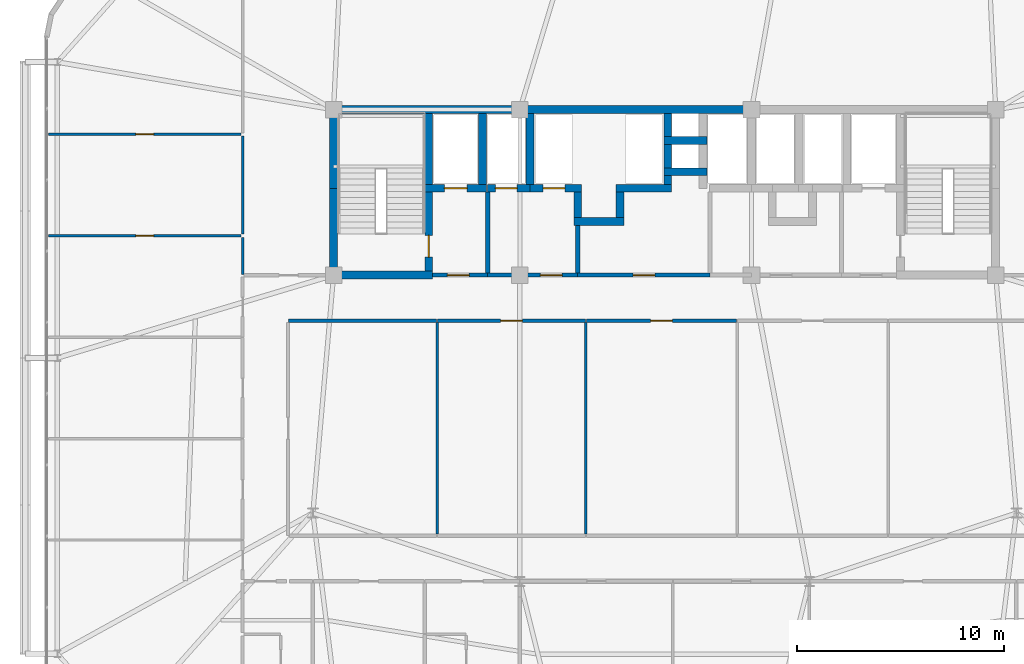
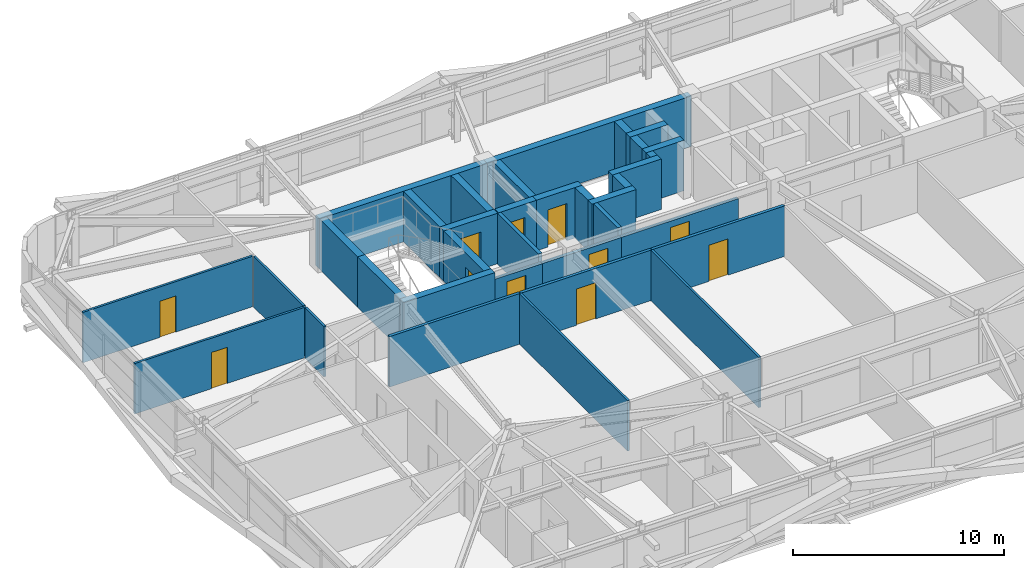
# One storey, part 53 of 58: 35 walls, 11 doors, 11 openings.
"""IFC4 building model written with IfcOpenShell, lengths in metres."""

from ifc_helpers import new_model, si_unit, direction, frame, frame_2d, origin, place, context, subcontext, project, spatial, rectangle, extrude, source, transform, mapped, material, layer, layer_set, type_object, element, fill, save


model = new_model("IFC4")

# Units and contexts
model_context = context("Model", 3, precision=1e-05, world=origin(), true_north=direction((0.0, 1.0)))
body_context = subcontext(model_context, "Body", "Model", "MODEL_VIEW")
ifc_project = project(units=[si_unit("LENGTHUNIT", "METRE"), si_unit("AREAUNIT", "SQUARE_METRE"), si_unit("VOLUMEUNIT", "CUBIC_METRE"), si_unit("PLANEANGLEUNIT", "RADIAN"), si_unit("MASSUNIT", "GRAM", prefix="KILO")], contexts=[model_context])

# Site, building, storey
site_placement = place(None, origin())
site = spatial("IfcSite", under=ifc_project, at=site_placement, CompositionType="ELEMENT")
building_placement = place(site_placement, origin())
building = spatial("IfcBuilding", under=site, at=building_placement, Name="Taldren Reach Tower", CompositionType="ELEMENT")
storey_placement = place(building_placement, frame((0.0, 0.0, 32.550048828125)))
storey = spatial("IfcBuildingStorey", under=building, at=storey_placement, Name="L09", CompositionType="ELEMENT", Elevation=32.550048828125)

# Walls
ifc_material_1 = material(Name="Concrete S80 (80 MPa)", Category="concrete")
ifc_layer_1 = layer(ifc_material_1, 0.3798828125)
ifc_layer_set_1 = layer_set([ifc_layer_1], Name="Concrete S80 (80 MPa)")
wall_type_1 = type_object("IfcWallType", Name="IW-CORE-380", PredefinedType="SHEAR", material=ifc_layer_set_1)
shared_shape_1 = source(origin(), body_context, "Body", "SweptSolid", [
    extrude(rectangle(XDim=9.18994140625, YDim=0.3798828125, at=frame_2d((4.594970703125, 0.0))), origin(), (0.0, 0.0, 1.0), 2.929931640625),
])
wall_1_placement = place(storey_placement, frame((18.81005859375, 32.0, 0.0), z_axis=(0.0, 0.0, 1.0), x_axis=(1.0, 0.0, 0.0)))
element("IfcWall", 1, at=wall_1_placement, inside=storey, type_object=wall_type_1, Name="Rear Core Shear Wall W-CORE-L09-NORTH1", PredefinedType="SHEAR", context=body_context, shape_type="MappedRepresentation", body=[
    mapped(shared_shape_1, transform((0.0, 0.0, 0.0), scale=1.0)),
])
shared_shape_2 = source(origin(), body_context, "Body", "SweptSolid", [
    extrude(rectangle(XDim=11.199951171875, YDim=0.3798828125, at=frame_2d((5.60009765625, 0.0))), origin(), (0.0, 0.0, 1.0), 2.929931640625),
])
wall_2_placement = place(storey_placement, frame((28.0, 32.0, 0.0), z_axis=(0.0, 0.0, 1.0), x_axis=(1.0, 0.0, 0.0)))
element("IfcWall", 2, at=wall_2_placement, inside=storey, type_object=wall_type_1, Name="Rear Core Shear Wall W-CORE-L09-NORTH2", PredefinedType="SHEAR", context=body_context, shape_type="MappedRepresentation", body=[
    mapped(shared_shape_2, transform((0.0, 0.0, 0.0), scale=1.0)),
])
shared_shape_3 = source(origin(), body_context, "Body", "SweptSolid", [
    extrude(rectangle(XDim=4.010009765625, YDim=0.3798828125, at=frame_2d((2.0048828125, 0.0))), origin(), (0.0, 0.0, 1.0), 2.929931640625),
])
wall_3_placement = place(storey_placement, frame((19.0, 24.18994140625, 0.0), z_axis=(0.0, 0.0, 1.0), x_axis=(0.0, 1.0, 0.0)))
element("IfcWall", 3, at=wall_3_placement, inside=storey, type_object=wall_type_1, Name="Rear Core Shear Wall W-CORE-L09-WEST1", PredefinedType="SHEAR", context=body_context, shape_type="MappedRepresentation", body=[
    mapped(shared_shape_3, transform((0.0, 0.0, 0.0), scale=1.0)),
])
shared_shape_4 = source(origin(), body_context, "Body", "SweptSolid", [
    extrude(rectangle(XDim=3.610107421875, YDim=0.3798828125, at=frame_2d((1.80517578125, 0.0))), origin(), (0.0, 0.0, 1.0), 2.929931640625),
])
wall_4_placement = place(storey_placement, frame((19.0, 28.199951171875, 0.0), z_axis=(0.0, 0.0, 1.0), x_axis=(0.0, 1.0, 0.0)))
element("IfcWall", 4, at=wall_4_placement, inside=storey, type_object=wall_type_1, Name="Rear Core Shear Wall W-CORE-L09-WEST2", PredefinedType="SHEAR", context=body_context, shape_type="MappedRepresentation", body=[
    mapped(shared_shape_4, transform((0.0, 0.0, 0.0), scale=1.0)),
])
shared_shape_5 = source(origin(), body_context, "Body", "SweptSolid", [
    extrude(rectangle(XDim=3.420166015625, YDim=0.3798828125, at=frame_2d((1.7099609375, 0.0))), origin(), (0.0, 0.0, 1.0), 2.929931640625),
])
for number, where, z_axis, x_axis, name in (
    (5, (23.60009765625, 28.389892578125, 0.0), (0.0, 0.0, 1.0), (0.0, 1.0, 0.0), "Rear Core Shear Wall W-INT-L09-001"),
    (6, (26.199951171875, 28.389892578125, 0.0), (0.0, 0.0, 1.0), (0.0, 1.0, 0.0), "Rear Core Shear Wall W-INT-L09-005"),
    (7, (28.5, 28.389892578125, 0.0), (0.0, 0.0, 1.0), (0.0, 1.0, 0.0), "Rear Core Shear Wall W-INT-L09-029"),
):
    element("IfcWall", number, at=place(storey_placement, frame(where, z_axis=z_axis, x_axis=x_axis)), inside=storey, type_object=wall_type_1, Name=name, PredefinedType="SHEAR", context=body_context, shape_type="MappedRepresentation", body=[
        mapped(shared_shape_5, transform((0.0, 0.0, 0.0), scale=1.0)),
    ])

# Wall, opening, door
shared_shape_6 = source(origin(), body_context, "Body", "SweptSolid", [
    extrude(rectangle(XDim=3.820068359375, YDim=0.3798828125, at=frame_2d((1.91015625, 0.0))), origin(), (0.0, 0.0, 1.0), 2.929931640625),
])
wall_5_placement = place(storey_placement, frame((23.60009765625, 24.18994140625, 0.0), z_axis=(0.0, 0.0, 1.0), x_axis=(0.0, 1.0, 0.0)))
wall_5 = element("IfcWall", 8, at=wall_5_placement, inside=storey, type_object=wall_type_1, Name="Rear Core Shear Wall W-INT-L09-002", PredefinedType="SHEAR", context=body_context, shape_type="MappedRepresentation", body=[
    mapped(shared_shape_6, transform((0.0, 0.0, 0.0), scale=1.0)),
])
shared_shape_7 = source(origin(), body_context, "Body", "SweptSolid", [
    extrude(rectangle(XDim=1.050048828125, YDim=2.10009765625, at=frame_2d((0.52490234375, 1.050048828125))), frame((0.0, 0.199951171875, 0.0), z_axis=(0.0, -1.0, 0.0), x_axis=(1.0, 0.0, 0.0)), (0.0, 0.0, 1.0), 0.39990234375),
])
opening_1_placement = place(wall_5_placement, frame((0.68505859375, 0.0, 0.0)))
opening_1 = element("IfcOpeningElement", 9, at=opening_1_placement, cuts=wall_5, Name="Opening DF-105", PredefinedType="OPENING", context=body_context, shape_type="MappedRepresentation", body=[
    mapped(shared_shape_7, transform((0.0, 0.0, 0.0), scale=1.0)),
])
ifc_material_2 = material(Name="Fire-Rated Care and Stair Exit Door")
door_type_1 = type_object("IfcDoorType", Name="ID-FIRE-105", OperationType="NOTDEFINED", PredefinedType="DOOR", material=ifc_material_2)
shared_shape_8 = source(origin(), body_context, "Body", "SweptSolid", [
    extrude(rectangle(XDim=1.050048828125, YDim=2.10009765625, at=frame_2d((0.52490234375, 1.050048828125))), frame((0.0, 0.02490234375, 0.0), z_axis=(0.0, -1.0, 0.0), x_axis=(1.0, 0.0, 0.0)), (0.0, 0.0, 1.0), 0.050048828125),
])
door_1_placement = place(opening_1_placement, origin())
door_1 = element("IfcDoor", 10, at=door_1_placement, inside=storey, type_object=door_type_1, Name="Fire Exit Stair Door DR-L09-001", OperationType="SINGLE_SWING_LEFT", OverallHeight=2.10009765625, OverallWidth=1.050048828125, PredefinedType="DOOR", context=body_context, shape_type="MappedRepresentation", body=[
    mapped(shared_shape_8, transform((0.0, 0.0, 0.0), scale=1.0)),
])
fill(opening_1, door_1)

# Wall
shared_shape_9 = source(origin(), body_context, "Body", "SweptSolid", [
    extrude(rectangle(XDim=4.97998046875, YDim=0.3798828125, at=frame_2d((2.489990234375, 0.0))), origin(), (0.0, 0.0, 1.0), 2.929931640625),
])
wall_6_placement = place(storey_placement, frame((18.81005859375, 24.0, 0.0), z_axis=(0.0, 0.0, 1.0), x_axis=(1.0, 0.0, 0.0)))
element("IfcWall", 11, at=wall_6_placement, inside=storey, type_object=wall_type_1, Name="Rear Core Shear Wall W-INT-L09-003", PredefinedType="SHEAR", context=body_context, shape_type="MappedRepresentation", body=[
    mapped(shared_shape_9, transform((0.0, 0.0, 0.0), scale=1.0)),
])

# Wall, opening, door
shared_shape_10 = source(origin(), body_context, "Body", "SweptSolid", [
    extrude(rectangle(XDim=2.97998046875, YDim=0.3798828125, at=frame_2d((1.489990234375, 0.0))), origin(), (0.0, 0.0, 1.0), 2.929931640625),
])
wall_7_placement = place(storey_placement, frame((23.409912109375, 28.199951171875, 0.0), z_axis=(0.0, 0.0, 1.0), x_axis=(1.0, 0.0, 0.0)))
wall_7 = element("IfcWall", 12, at=wall_7_placement, inside=storey, type_object=wall_type_1, Name="Rear Core Shear Wall W-INT-L09-004", PredefinedType="SHEAR", context=body_context, shape_type="MappedRepresentation", body=[
    mapped(shared_shape_10, transform((0.0, 0.0, 0.0), scale=1.0)),
])
shared_shape_11 = source(origin(), body_context, "Body", "SweptSolid", [
    extrude(rectangle(XDim=1.10009765625, YDim=2.14990234375, at=frame_2d((0.550048828125, 1.074951171875))), frame((0.0, 0.199951171875, 0.0), z_axis=(0.0, -1.0, 0.0), x_axis=(1.0, 0.0, 0.0)), (0.0, 0.0, 1.0), 0.39990234375),
])
opening_2_placement = place(wall_7_placement, frame((0.93994140625, 0.0, 0.0)))
opening_2 = element("IfcOpeningElement", 13, at=opening_2_placement, cuts=wall_7, Name="Opening LD-FL1", PredefinedType="OPENING", context=body_context, shape_type="MappedRepresentation", body=[
    mapped(shared_shape_11, transform((0.0, 0.0, 0.0), scale=1.0)),
])
ifc_material_3 = material(Name="Stainless Steel Gr 316 Emergency Lift Landing Door", Category="steel")
door_type_2 = type_object("IfcDoorType", Name="LD-EMG-110", OperationType="SLIDING_TO_LEFT", PredefinedType="DOOR", material=ifc_material_3)
shared_shape_12 = source(origin(), body_context, "Body", "SweptSolid", [
    extrude(rectangle(XDim=1.10009765625, YDim=2.14990234375, at=frame_2d((0.550048828125, 1.074951171875))), frame((0.0, 0.02490234375, 0.0), z_axis=(0.0, -1.0, 0.0), x_axis=(1.0, 0.0, 0.0)), (0.0, 0.0, 1.0), 0.050048828125),
])
door_2_placement = place(opening_2_placement, origin())
door_2 = element("IfcDoor", 14, at=door_2_placement, inside=storey, type_object=door_type_2, Name="Lift Landing Door LD-FL1-L09", OperationType="SLIDING_TO_LEFT", OverallHeight=2.14990234375, OverallWidth=1.10009765625, PredefinedType="DOOR", context=body_context, shape_type="MappedRepresentation", body=[
    mapped(shared_shape_12, transform((0.0, 0.0, 0.0), scale=1.0)),
])
fill(opening_2, door_2)

# Wall
ifc_material_4 = material(Name="Concrete S50 (50 MPa)", Category="concrete")
ifc_layer_2 = layer(ifc_material_4, 0.199951171875)
ifc_layer_set_2 = layer_set([ifc_layer_2], Name="Concrete S50 (50 MPa)")
wall_type_2 = type_object("IfcWallType", Name="IW-CORE-200", PredefinedType="SOLIDWALL", material=ifc_layer_set_2)
shared_shape_13 = source(origin(), body_context, "Body", "SweptSolid", [
    extrude(rectangle(XDim=3.909912109375, YDim=0.199951171875, at=frame_2d((1.955078125, 0.0))), origin(), (0.0, 0.0, 1.0), 2.929931640625),
])
wall_8_placement = place(storey_placement, frame((26.449951171875, 24.10009765625, 0.0), z_axis=(0.0, 0.0, 1.0), x_axis=(0.0, 1.0, 0.0)))
element("IfcWall", 15, at=wall_8_placement, inside=storey, type_object=wall_type_2, Name="Rear Core Shear Wall W-INT-L09-006", PredefinedType="SOLIDWALL", context=body_context, shape_type="MappedRepresentation", body=[
    mapped(shared_shape_13, transform((0.0, 0.0, 0.0), scale=1.0)),
])

# Wall, opening, door
shared_shape_14 = source(origin(), body_context, "Body", "SweptSolid", [
    extrude(rectangle(XDim=2.659912109375, YDim=0.199951171875, at=frame_2d((1.330078125, 0.0))), origin(), (0.0, 0.0, 1.0), 2.469970703125),
])
wall_9_placement = place(storey_placement, frame((23.7900390625, 24.0, 0.0), z_axis=(0.0, 0.0, 1.0), x_axis=(1.0, 0.0, 0.0)))
wall_9 = element("IfcWall", 16, at=wall_9_placement, inside=storey, type_object=wall_type_2, Name="Rear Core Shear Wall W-INT-L09-007", PredefinedType="SOLIDWALL", context=body_context, shape_type="MappedRepresentation", body=[
    mapped(shared_shape_14, transform((0.0, 0.0, 0.0), scale=1.0)),
])
shared_shape_15 = source(origin(), body_context, "Body", "SweptSolid", [
    extrude(rectangle(XDim=1.050048828125, YDim=2.10009765625, at=frame_2d((0.52490234375, 1.050048828125))), frame((0.0, 0.10986328125, 0.0), z_axis=(0.0, -1.0, 0.0), x_axis=(1.0, 0.0, 0.0)), (0.0, 0.0, 1.0), 0.219970703125),
])
opening_3_placement = place(wall_9_placement, frame((0.7099609375, 0.0, 0.0)))
opening_3 = element("IfcOpeningElement", 17, at=opening_3_placement, cuts=wall_9, Name="Opening DF-105", PredefinedType="OPENING", context=body_context, shape_type="MappedRepresentation", body=[
    mapped(shared_shape_15, transform((0.0, 0.0, 0.0), scale=1.0)),
])
door_3_placement = place(opening_3_placement, origin())
door_3 = element("IfcDoor", 18, at=door_3_placement, inside=storey, type_object=door_type_1, Name="Interior Door DR-L09-002", OperationType="SINGLE_SWING_LEFT", OverallHeight=2.10009765625, OverallWidth=1.050048828125, PredefinedType="DOOR", context=body_context, shape_type="MappedRepresentation", body=[
    mapped(shared_shape_8, transform((0.0, 0.0, 0.0), scale=1.0)),
])
fill(opening_3, door_3)

# Walls
shared_shape_16 = source(origin(), body_context, "Body", "SweptSolid", [
    extrude(rectangle(XDim=2.080078125, YDim=0.3798828125, at=frame_2d((1.0400390625, 0.0))), origin(), (0.0, 0.0, 1.0), 2.929931640625),
])
for number, where, z_axis, x_axis, name in (
    (19, (34.9599609375, 30.5, 0.0), (0.0, 0.0, 1.0), (1.0, 0.0, 0.0), "Rear Core Shear Wall W-INT-L09-015"),
    (20, (34.9599609375, 29.0, 0.0), (0.0, 0.0, 1.0), (1.0, 0.0, 0.0), "Rear Core Shear Wall W-INT-L09-020"),
):
    element("IfcWall", number, at=place(storey_placement, frame(where, z_axis=z_axis, x_axis=x_axis)), inside=storey, type_object=wall_type_1, Name=name, PredefinedType="SHEAR", context=body_context, shape_type="MappedRepresentation", body=[
        mapped(shared_shape_16, transform((0.0, 0.0, 0.0), scale=1.0)),
    ])
shared_shape_17 = source(origin(), body_context, "Body", "SweptSolid", [
    extrude(rectangle(XDim=1.1201171875, YDim=0.3798828125, at=frame_2d((0.56005859375, 0.0))), origin(), (0.0, 0.0, 1.0), 2.929931640625),
])
for number, where, z_axis, x_axis, name in (
    (21, (35.14990234375, 31.81005859375, 0.0), (0.0, 0.0, 1.0), (0.0, -1.0, 0.0), "Rear Core Shear Wall W-INT-L09-016"),
    (22, (35.14990234375, 30.31005859375, 0.0), (0.0, 0.0, 1.0), (0.0, -1.0, 0.0), "Rear Core Shear Wall W-INT-L09-018"),
):
    element("IfcWall", number, at=place(storey_placement, frame(where, z_axis=z_axis, x_axis=x_axis)), inside=storey, type_object=wall_type_1, Name=name, PredefinedType="SHEAR", context=body_context, shape_type="MappedRepresentation", body=[
        mapped(shared_shape_17, transform((0.0, 0.0, 0.0), scale=1.0)),
    ])
shared_shape_18 = source(origin(), body_context, "Body", "SweptSolid", [
    extrude(rectangle(XDim=1.219970703125, YDim=0.3798828125, at=frame_2d((0.60986328125, 0.0))), origin(), (0.0, 0.0, 1.0), 2.929931640625),
])
for number, where, z_axis, x_axis, name in (
    (23, (30.800048828125, 28.010009765625, 0.0), (0.0, 0.0, 1.0), (0.0, -1.0, 0.0), "Rear Core Shear Wall W-INT-L09-021"),
    (24, (32.85009765625, 26.7900390625, 0.0), (0.0, 0.0, 1.0), (0.0, 1.0, 0.0), "Rear Core Shear Wall W-INT-L09-023"),
):
    element("IfcWall", number, at=place(storey_placement, frame(where, z_axis=z_axis, x_axis=x_axis)), inside=storey, type_object=wall_type_1, Name=name, PredefinedType="SHEAR", context=body_context, shape_type="MappedRepresentation", body=[
        mapped(shared_shape_18, transform((0.0, 0.0, 0.0), scale=1.0)),
    ])
shared_shape_19 = source(origin(), body_context, "Body", "SweptSolid", [
    extrude(rectangle(XDim=2.429931640625, YDim=0.3798828125, at=frame_2d((1.21484375, 0.0))), origin(), (0.0, 0.0, 1.0), 2.929931640625),
])
wall_10_placement = place(storey_placement, frame((30.610107421875, 26.60009765625, 0.0), z_axis=(0.0, 0.0, 1.0), x_axis=(1.0, 0.0, 0.0)))
element("IfcWall", 25, at=wall_10_placement, inside=storey, type_object=wall_type_1, Name="Rear Core Shear Wall W-INT-L09-022", PredefinedType="SHEAR", context=body_context, shape_type="MappedRepresentation", body=[
    mapped(shared_shape_19, transform((0.0, 0.0, 0.0), scale=1.0)),
])

# Wall, opening, door
shared_shape_20 = source(origin(), body_context, "Body", "SweptSolid", [
    extrude(rectangle(XDim=2.070068359375, YDim=0.3798828125, at=frame_2d((1.03515625, 0.0))), origin(), (0.0, 0.0, 1.0), 2.929931640625),
])
wall_11_placement = place(storey_placement, frame((26.429931640625, 28.199951171875, 0.0), z_axis=(0.0, 0.0, 1.0), x_axis=(1.0, 0.0, 0.0)))
wall_11 = element("IfcWall", 26, at=wall_11_placement, inside=storey, type_object=wall_type_1, Name="Rear Core Shear Wall W-INT-L09-030", PredefinedType="SHEAR", context=body_context, shape_type="MappedRepresentation", body=[
    mapped(shared_shape_20, transform((0.0, 0.0, 0.0), scale=1.0)),
])
shared_shape_21 = source(origin(), body_context, "Body", "SweptSolid", [
    extrude(rectangle(XDim=1.050048828125, YDim=2.14990234375, at=frame_2d((0.52490234375, 1.074951171875))), frame((0.0, 0.199951171875, 0.0), z_axis=(0.0, -1.0, 0.0), x_axis=(1.0, 0.0, 0.0)), (0.0, 0.0, 1.0), 0.39990234375),
])
opening_4_placement = place(wall_11_placement, frame((0.39501953125, 0.0, 0.0)))
opening_4 = element("IfcOpeningElement", 27, at=opening_4_placement, cuts=wall_11, Name="Opening LD-PL1", PredefinedType="OPENING", context=body_context, shape_type="MappedRepresentation", body=[
    mapped(shared_shape_21, transform((0.0, 0.0, 0.0), scale=1.0)),
])
ifc_material_5 = material(Name="Stainless Steel Gr 316 Passenger Lift Landing Door", Category="steel")
door_type_3 = type_object("IfcDoorType", Name="LD-PAS-105", OperationType="SLIDING_TO_LEFT", PredefinedType="DOOR", material=ifc_material_5)
shared_shape_22 = source(origin(), body_context, "Body", "SweptSolid", [
    extrude(rectangle(XDim=1.050048828125, YDim=2.14990234375, at=frame_2d((0.52490234375, 1.074951171875))), frame((0.0, 0.02490234375, 0.0), z_axis=(0.0, -1.0, 0.0), x_axis=(1.0, 0.0, 0.0)), (0.0, 0.0, 1.0), 0.050048828125),
])
door_4_placement = place(opening_4_placement, origin())
door_4 = element("IfcDoor", 28, at=door_4_placement, inside=storey, type_object=door_type_3, Name="Lift Landing Door LD-PL1-L09", OperationType="SLIDING_TO_LEFT", OverallHeight=2.14990234375, OverallWidth=1.050048828125, PredefinedType="DOOR", context=body_context, shape_type="MappedRepresentation", body=[
    mapped(shared_shape_22, transform((0.0, 0.0, 0.0), scale=1.0)),
])
fill(opening_4, door_4)

shared_shape_23 = source(origin(), body_context, "Body", "SweptSolid", [
    extrude(rectangle(XDim=2.489990234375, YDim=0.3798828125, at=frame_2d((1.2451171875, 0.0))), origin(), (0.0, 0.0, 1.0), 2.929931640625),
])
wall_12_placement = place(storey_placement, frame((28.5, 28.199951171875, 0.0), z_axis=(0.0, 0.0, 1.0), x_axis=(1.0, 0.0, 0.0)))
wall_12 = element("IfcWall", 29, at=wall_12_placement, inside=storey, type_object=wall_type_1, Name="Rear Core Shear Wall W-INT-L09-031", PredefinedType="SHEAR", context=body_context, shape_type="MappedRepresentation", body=[
    mapped(shared_shape_23, transform((0.0, 0.0, 0.0), scale=1.0)),
])
opening_5_placement = place(wall_12_placement, frame((0.625, 0.0, 0.0)))
opening_5 = element("IfcOpeningElement", 30, at=opening_5_placement, cuts=wall_12, Name="Opening LD-PL2", PredefinedType="OPENING", context=body_context, shape_type="MappedRepresentation", body=[
    mapped(shared_shape_21, transform((0.0, 0.0, 0.0), scale=1.0)),
])
door_5_placement = place(opening_5_placement, origin())
door_5 = element("IfcDoor", 31, at=door_5_placement, inside=storey, type_object=door_type_3, Name="Lift Landing Door LD-PL2-L09", OperationType="SLIDING_TO_LEFT", OverallHeight=2.14990234375, OverallWidth=1.050048828125, PredefinedType="DOOR", context=body_context, shape_type="MappedRepresentation", body=[
    mapped(shared_shape_22, transform((0.0, 0.0, 0.0), scale=1.0)),
])
fill(opening_5, door_5)

# Wall
shared_shape_24 = source(origin(), body_context, "Body", "SweptSolid", [
    extrude(rectangle(XDim=2.309814453125, YDim=0.199951171875, at=frame_2d((1.15478515625, 0.0))), origin(), (0.0, 0.0, 1.0), 2.929931640625),
])
wall_13_placement = place(storey_placement, frame((30.800048828125, 26.409912109375, 0.0), z_axis=(0.0, 0.0, 1.0), x_axis=(0.0, -1.0, 0.0)))
element("IfcWall", 32, at=wall_13_placement, inside=storey, type_object=wall_type_2, Name="Rear Core Shear Wall W-INT-L09-032", PredefinedType="SOLIDWALL", context=body_context, shape_type="MappedRepresentation", body=[
    mapped(shared_shape_24, transform((0.0, 0.0, 0.0), scale=1.0)),
])

# Wall, opening, door
shared_shape_25 = source(origin(), body_context, "Body", "SweptSolid", [
    extrude(rectangle(XDim=4.35009765625, YDim=0.199951171875, at=frame_2d((2.175048828125, 0.0))), origin(), (0.0, 0.0, 1.0), 2.469970703125),
])
wall_14_placement = place(storey_placement, frame((30.800048828125, 24.0, 0.0), z_axis=(0.0, 0.0, 1.0), x_axis=(-1.0, 0.0, 0.0)))
wall_14 = element("IfcWall", 33, at=wall_14_placement, inside=storey, type_object=wall_type_2, Name="Rear Core Shear Wall W-INT-L09-033", PredefinedType="SOLIDWALL", context=body_context, shape_type="MappedRepresentation", body=[
    mapped(shared_shape_25, transform((0.0, 0.0, 0.0), scale=1.0)),
])
opening_6_placement = place(wall_14_placement, frame((0.75, 0.0, 0.0)))
opening_6 = element("IfcOpeningElement", 34, at=opening_6_placement, cuts=wall_14, Name="Opening DF-105", PredefinedType="OPENING", context=body_context, shape_type="MappedRepresentation", body=[
    mapped(shared_shape_15, transform((0.0, 0.0, 0.0), scale=1.0)),
])
door_6_placement = place(opening_6_placement, frame((1.050048828125, 0.0, 0.0), z_axis=(0.0, 0.0, 1.0), x_axis=(-1.0, 0.0, 0.0)))
door_6 = element("IfcDoor", 35, at=door_6_placement, inside=storey, type_object=door_type_1, Name="Interior Door DR-L09-005", OperationType="SINGLE_SWING_RIGHT", OverallHeight=2.10009765625, OverallWidth=1.050048828125, PredefinedType="DOOR", context=body_context, shape_type="MappedRepresentation", body=[
    mapped(shared_shape_8, transform((0.0, 0.0, 0.0), scale=1.0)),
])
fill(opening_6, door_6)

# Walls
shared_shape_26 = source(origin(), body_context, "Body", "SweptSolid", [
    extrude(rectangle(XDim=2.68017578125, YDim=0.3798828125, at=frame_2d((1.340087890625, 0.0))), origin(), (0.0, 0.0, 1.0), 2.929931640625),
])
wall_15_placement = place(storey_placement, frame((32.659912109375, 28.199951171875, 0.0), z_axis=(0.0, 0.0, 1.0), x_axis=(1.0, 0.0, 0.0)))
element("IfcWall", 36, at=wall_15_placement, inside=storey, type_object=wall_type_1, Name="Rear Core Shear Wall W-INT-L09-034", PredefinedType="SHEAR", context=body_context, shape_type="MappedRepresentation", body=[
    mapped(shared_shape_26, transform((0.0, 0.0, 0.0), scale=1.0)),
])
shared_shape_27 = source(origin(), body_context, "Body", "SweptSolid", [
    extrude(rectangle(XDim=0.420166015625, YDim=0.3798828125, at=frame_2d((0.2099609375, 0.0))), origin(), (0.0, 0.0, 1.0), 2.929931640625),
])
wall_16_placement = place(storey_placement, frame((35.14990234375, 28.389892578125, 0.0), z_axis=(0.0, 0.0, 1.0), x_axis=(0.0, 1.0, 0.0)))
element("IfcWall", 37, at=wall_16_placement, inside=storey, type_object=wall_type_1, Name="Rear Core Shear Wall W-INT-L09-035", PredefinedType="SHEAR", context=body_context, shape_type="MappedRepresentation", body=[
    mapped(shared_shape_27, transform((0.0, 0.0, 0.0), scale=1.0)),
])

# Wall, opening, door
shared_shape_28 = source(origin(), body_context, "Body", "SweptSolid", [
    extrude(rectangle(XDim=6.39990234375, YDim=0.199951171875, at=frame_2d((3.199951171875, 0.0))), origin(), (0.0, 0.0, 1.0), 2.469970703125),
])
wall_17_placement = place(storey_placement, frame((37.199951171875, 24.0, 0.0), z_axis=(0.0, 0.0, 1.0), x_axis=(-1.0, 0.0, 0.0)))
wall_17 = element("IfcWall", 38, at=wall_17_placement, inside=storey, type_object=wall_type_2, Name="Rear Core Shear Wall W-INT-L09-043", PredefinedType="SOLIDWALL", context=body_context, shape_type="MappedRepresentation", body=[
    mapped(shared_shape_28, transform((0.0, 0.0, 0.0), scale=1.0)),
])
opening_7_placement = place(wall_17_placement, frame((2.675048828125, 0.0, 0.0)))
opening_7 = element("IfcOpeningElement", 39, at=opening_7_placement, cuts=wall_17, Name="Opening DF-105", PredefinedType="OPENING", context=body_context, shape_type="MappedRepresentation", body=[
    mapped(shared_shape_15, transform((0.0, 0.0, 0.0), scale=1.0)),
])
door_7_placement = place(opening_7_placement, frame((1.050048828125, 0.0, 0.0), z_axis=(0.0, 0.0, 1.0), x_axis=(-1.0, 0.0, 0.0)))
door_7 = element("IfcDoor", 40, at=door_7_placement, inside=storey, type_object=door_type_1, Name="Interior Door DR-L09-006", OperationType="SINGLE_SWING_RIGHT", OverallHeight=2.10009765625, OverallWidth=1.050048828125, PredefinedType="DOOR", context=body_context, shape_type="MappedRepresentation", body=[
    mapped(shared_shape_8, transform((0.0, 0.0, 0.0), scale=1.0)),
])
fill(opening_7, door_7)

ifc_material_6 = material(Name="Insulated Residential Stud Partition", Category="gypsum")
ifc_layer_3 = layer(ifc_material_6, 0.1201171875)
ifc_layer_set_3 = layer_set([ifc_layer_3], Name="Insulated Residential Stud Partition")
wall_type_3 = type_object("IfcWallType", Name="IW-PART-120", PredefinedType="PARTITIONING", material=ifc_layer_set_3)
shared_shape_29 = source(origin(), body_context, "Body", "SweptSolid", [
    extrude(rectangle(XDim=9.2900390625, YDim=0.1201171875, at=frame_2d((4.64501953125, 0.0))), origin(), (0.0, 0.0, 1.0), 2.929931640625),
])
wall_18_placement = place(storey_placement, frame((5.22998046875, 25.89990234375, 0.0), z_axis=(0.0, 0.0, 1.0), x_axis=(1.0, 0.0, 0.0)))
wall_18 = element("IfcWall", 41, at=wall_18_placement, inside=storey, type_object=wall_type_3, Name="Interior Partition Wall W-INT-L09-104", PredefinedType="PARTITIONING", context=body_context, shape_type="MappedRepresentation", body=[
    mapped(shared_shape_29, transform((0.0, 0.0, 0.0), scale=1.0)),
])
shared_shape_30 = source(origin(), body_context, "Body", "SweptSolid", [
    extrude(rectangle(XDim=0.860107421875, YDim=2.10009765625, at=frame_2d((0.43017578125, 1.050048828125))), frame((0.0, 0.070068359375, 0.0), z_axis=(0.0, -1.0, 0.0), x_axis=(1.0, 0.0, 0.0)), (0.0, 0.0, 1.0), 0.14013671875),
])
opening_8_placement = place(wall_18_placement, frame((4.215087890625, 0.0, 0.0)))
opening_8 = element("IfcOpeningElement", 42, at=opening_8_placement, cuts=wall_18, Name="Opening DI-086", PredefinedType="OPENING", context=body_context, shape_type="MappedRepresentation", body=[
    mapped(shared_shape_30, transform((0.0, 0.0, 0.0), scale=1.0)),
])
ifc_material_7 = material(Name="Timber Bathroom Door", Category="wood")
door_type_4 = type_object("IfcDoorType", Name="ID-INT-086", OperationType="NOTDEFINED", PredefinedType="DOOR", material=ifc_material_7)
shared_shape_31 = source(origin(), body_context, "Body", "SweptSolid", [
    extrude(rectangle(XDim=0.860107421875, YDim=2.10009765625, at=frame_2d((0.43017578125, 1.050048828125))), frame((0.0, 0.02490234375, 0.0), z_axis=(0.0, -1.0, 0.0), x_axis=(1.0, 0.0, 0.0)), (0.0, 0.0, 1.0), 0.050048828125),
])
door_8_placement = place(opening_8_placement, frame((0.860107421875, 0.0, 0.0), z_axis=(0.0, 0.0, 1.0), x_axis=(-1.0, 0.0, 0.0)))
door_8 = element("IfcDoor", 43, at=door_8_placement, inside=storey, type_object=door_type_4, Name="Interior Door DR-L09-030", OperationType="SINGLE_SWING_RIGHT", OverallHeight=2.10009765625, OverallWidth=0.860107421875, PredefinedType="DOOR", context=body_context, shape_type="MappedRepresentation", body=[
    mapped(shared_shape_31, transform((0.0, 0.0, 0.0), scale=1.0)),
])
fill(opening_8, door_8)

wall_19_placement = place(storey_placement, frame((5.22998046875, 30.800048828125, 0.0), z_axis=(0.0, 0.0, 1.0), x_axis=(1.0, 0.0, 0.0)))
wall_19 = element("IfcWall", 44, at=wall_19_placement, inside=storey, type_object=wall_type_3, Name="Interior Partition Wall W-INT-L09-106", PredefinedType="PARTITIONING", context=body_context, shape_type="MappedRepresentation", body=[
    mapped(shared_shape_29, transform((0.0, 0.0, 0.0), scale=1.0)),
])
opening_9_placement = place(wall_19_placement, frame((4.215087890625, 0.0, 0.0)))
opening_9 = element("IfcOpeningElement", 45, at=opening_9_placement, cuts=wall_19, Name="Opening DI-086", PredefinedType="OPENING", context=body_context, shape_type="MappedRepresentation", body=[
    mapped(shared_shape_30, transform((0.0, 0.0, 0.0), scale=1.0)),
])
door_9_placement = place(opening_9_placement, frame((0.860107421875, 0.0, 0.0), z_axis=(0.0, 0.0, 1.0), x_axis=(-1.0, 0.0, 0.0)))
door_9 = element("IfcDoor", 46, at=door_9_placement, inside=storey, type_object=door_type_4, Name="Interior Door DR-L09-031", OperationType="SINGLE_SWING_LEFT", OverallHeight=2.10009765625, OverallWidth=0.860107421875, PredefinedType="DOOR", context=body_context, shape_type="MappedRepresentation", body=[
    mapped(shared_shape_31, transform((0.0, 0.0, 0.0), scale=1.0)),
])
fill(opening_9, door_9)

# Wall
ifc_material_8 = material(Name="Fire-Rated Acoustic Plasterboard Stud Wall", Category="gypsum")
ifc_layer_4 = layer(ifc_material_8, 0.159912109375)
ifc_layer_set_4 = layer_set([ifc_layer_4], Name="Fire-Rated Acoustic Plasterboard Stud Wall")
wall_type_4 = type_object("IfcWallType", Name="IW-FIRE-160", PredefinedType="PARTITIONING", material=ifc_layer_set_4)
shared_shape_32 = source(origin(), body_context, "Body", "SweptSolid", [
    extrude(rectangle(XDim=7.159423828125, YDim=0.159912109375, at=frame_2d((3.57958984375, 0.0))), origin(), (0.0, 0.0, 1.0), 2.929931640625),
])
wall_20_placement = place(storey_placement, frame((23.979736328125, 21.800048828125, 0.0), z_axis=(0.0, 0.0, 1.0), x_axis=(-1.0, 0.0, 0.0)))
element("IfcWall", 47, at=wall_20_placement, inside=storey, type_object=wall_type_4, Name="Interior Partition Wall W-INT-L09-046", PredefinedType="PARTITIONING", context=body_context, shape_type="MappedRepresentation", body=[
    mapped(shared_shape_32, transform((0.0, 0.0, 0.0), scale=1.0)),
])

# Wall, opening, door
wall_21_placement = place(storey_placement, frame((31.1796875, 21.800048828125, 0.0), z_axis=(0.0, 0.0, 1.0), x_axis=(-1.0, 0.0, 0.0)))
wall_21 = element("IfcWall", 48, at=wall_21_placement, inside=storey, type_object=wall_type_4, Name="Interior Partition Wall W-INT-L09-047", PredefinedType="PARTITIONING", context=body_context, shape_type="MappedRepresentation", body=[
    mapped(shared_shape_32, transform((0.0, 0.0, 0.0), scale=1.0)),
])
shared_shape_33 = source(origin(), body_context, "Body", "SweptSolid", [
    extrude(rectangle(XDim=1.050048828125, YDim=2.10009765625, at=frame_2d((0.52490234375, 1.050048828125))), frame((0.0, 0.08984375, 0.0), z_axis=(0.0, -1.0, 0.0), x_axis=(1.0, 0.0, 0.0)), (0.0, 0.0, 1.0), 0.179931640625),
])
opening_10_placement = place(wall_21_placement, frame((3.0546875, 0.0, 0.0)))
opening_10 = element("IfcOpeningElement", 49, at=opening_10_placement, cuts=wall_21, Name="Opening DF-105", PredefinedType="OPENING", context=body_context, shape_type="MappedRepresentation", body=[
    mapped(shared_shape_33, transform((0.0, 0.0, 0.0), scale=1.0)),
])
door_10_placement = place(opening_10_placement, origin())
door_10 = element("IfcDoor", 50, at=door_10_placement, inside=storey, type_object=door_type_1, Name="Interior Door DR-L09-009", OperationType="SINGLE_SWING_RIGHT", OverallHeight=2.10009765625, OverallWidth=1.050048828125, PredefinedType="DOOR", context=body_context, shape_type="MappedRepresentation", body=[
    mapped(shared_shape_8, transform((0.0, 0.0, 0.0), scale=1.0)),
])
fill(opening_10, door_10)

shared_shape_34 = source(origin(), body_context, "Body", "SweptSolid", [
    extrude(rectangle(XDim=7.259521484375, YDim=0.159912109375, at=frame_2d((3.6298828125, 0.0))), origin(), (0.0, 0.0, 1.0), 2.929931640625),
])
wall_22_placement = place(storey_placement, frame((38.479736328125, 21.800048828125, 0.0), z_axis=(0.0, 0.0, 1.0), x_axis=(-1.0, 0.0, 0.0)))
wall_22 = element("IfcWall", 51, at=wall_22_placement, inside=storey, type_object=wall_type_4, Name="Interior Partition Wall W-INT-L09-048", PredefinedType="PARTITIONING", context=body_context, shape_type="MappedRepresentation", body=[
    mapped(shared_shape_34, transform((0.0, 0.0, 0.0), scale=1.0)),
])
opening_11_placement = place(wall_22_placement, frame((3.104736328125, 0.0, 0.0)))
opening_11 = element("IfcOpeningElement", 52, at=opening_11_placement, cuts=wall_22, Name="Opening DF-105", PredefinedType="OPENING", context=body_context, shape_type="MappedRepresentation", body=[
    mapped(shared_shape_33, transform((0.0, 0.0, 0.0), scale=1.0)),
])
door_11_placement = place(opening_11_placement, origin())
door_11 = element("IfcDoor", 53, at=door_11_placement, inside=storey, type_object=door_type_1, Name="Interior Door DR-L09-010", OperationType="SINGLE_SWING_LEFT", OverallHeight=2.10009765625, OverallWidth=1.050048828125, PredefinedType="DOOR", context=body_context, shape_type="MappedRepresentation", body=[
    mapped(shared_shape_8, transform((0.0, 0.0, 0.0), scale=1.0)),
])
fill(opening_11, door_11)

# Walls
shared_shape_35 = source(origin(), body_context, "Body", "SweptSolid", [
    extrude(rectangle(XDim=10.239990234375, YDim=0.1201171875, at=frame_2d((5.1201171875, 0.0))), origin(), (0.0, 0.0, 1.0), 2.929931640625),
])
for number, where, z_axis, x_axis, name in (
    (54, (24.0, 21.719970703125, 0.0), (0.0, 0.0, 1.0), (0.0, -1.0, 0.0), "Interior Partition Wall W-INT-L09-074"),
    (55, (31.199951171875, 21.719970703125, 0.0), (0.0, 0.0, 1.0), (0.0, -1.0, 0.0), "Interior Partition Wall W-INT-L09-075"),
):
    element("IfcWall", number, at=place(storey_placement, frame(where, z_axis=z_axis, x_axis=x_axis)), inside=storey, type_object=wall_type_3, Name=name, PredefinedType="PARTITIONING", context=body_context, shape_type="MappedRepresentation", body=[
        mapped(shared_shape_35, transform((0.0, 0.0, 0.0), scale=1.0)),
    ])
shared_shape_36 = source(origin(), body_context, "Body", "SweptSolid", [
    extrude(rectangle(XDim=1.7998046875, YDim=0.1201171875, at=frame_2d((0.89990234375, 0.0))), origin(), (0.0, 0.0, 1.0), 2.929931640625),
])
wall_23_placement = place(storey_placement, frame((14.60009765625, 25.820068359375, 0.0), z_axis=(0.0, 0.0, 1.0), x_axis=(0.0, -1.0, 0.0)))
element("IfcWall", 56, at=wall_23_placement, inside=storey, type_object=wall_type_3, Name="Interior Partition Wall W-INT-L09-105", PredefinedType="PARTITIONING", context=body_context, shape_type="MappedRepresentation", body=[
    mapped(shared_shape_36, transform((0.0, 0.0, 0.0), scale=1.0)),
])
shared_shape_37 = source(origin(), body_context, "Body", "SweptSolid", [
    extrude(rectangle(XDim=4.739990234375, YDim=0.1201171875, at=frame_2d((2.3701171875, 0.0))), origin(), (0.0, 0.0, 1.0), 2.929931640625),
])
wall_24_placement = place(storey_placement, frame((14.60009765625, 30.719970703125, 0.0), z_axis=(0.0, 0.0, 1.0), x_axis=(0.0, -1.0, 0.0)))
element("IfcWall", 57, at=wall_24_placement, inside=storey, type_object=wall_type_3, Name="Interior Partition Wall W-INT-L09-107", PredefinedType="PARTITIONING", context=body_context, shape_type="MappedRepresentation", body=[
    mapped(shared_shape_37, transform((0.0, 0.0, 0.0), scale=1.0)),
])

save(model, "model.ifc")
